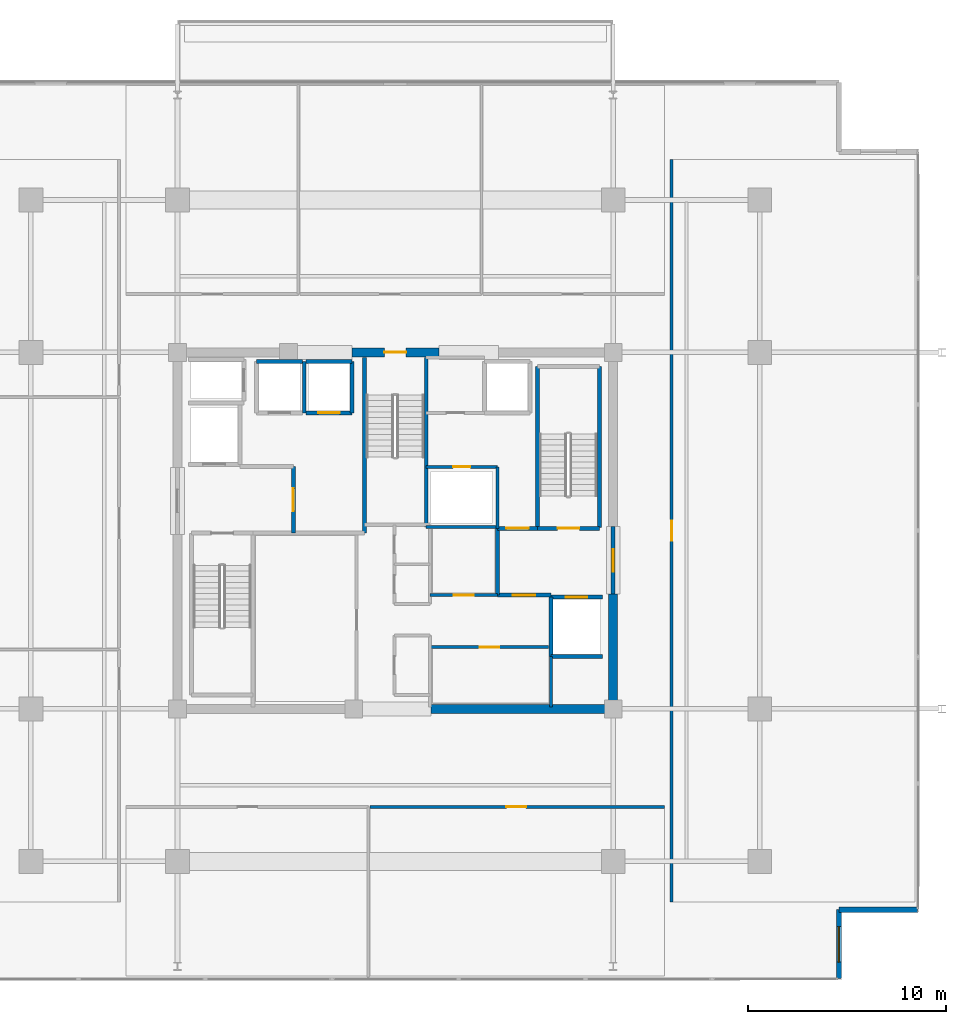
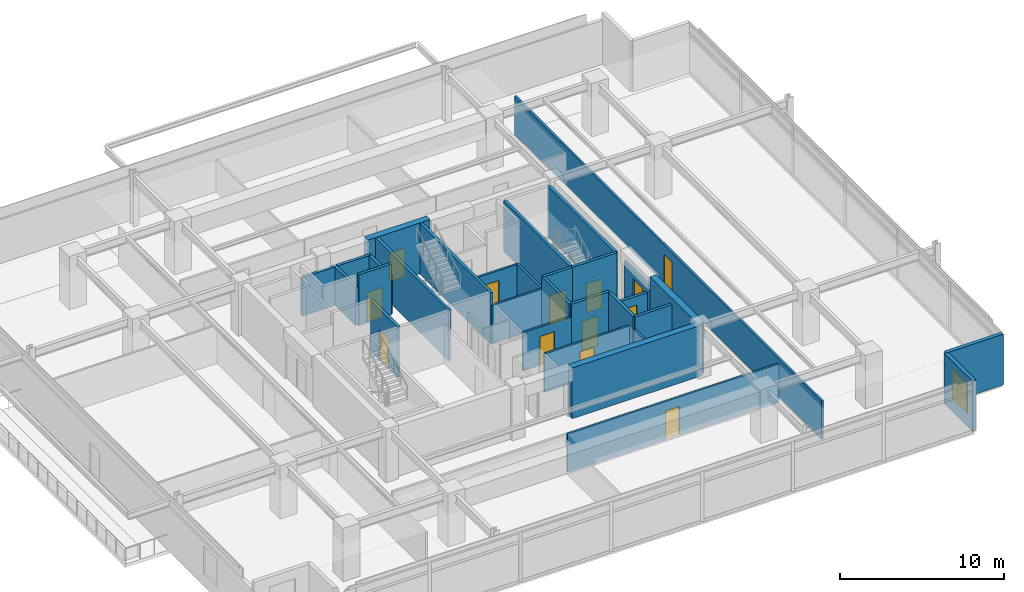
# One storey, part 14 of 18: 31 walls, 13 doors, 1 window, 14 openings.
"""IFC4 building model written with IfcOpenShell, lengths in metres."""

from ifc_helpers import new_model, si_unit, direction, frame, frame_2d, origin, place, context, subcontext, project, spatial, rectangle, extrude, material, layer, layer_set, type_object, element, fill, save


model = new_model("IFC4")

# Units and contexts
model_context = context("Model", 3, precision=1e-05, world=origin(), true_north=direction((0.0, 1.0)))
body_context = subcontext(model_context, "Body", "Model", "MODEL_VIEW")
ifc_project = project(units=[si_unit("LENGTHUNIT", "METRE"), si_unit("AREAUNIT", "SQUARE_METRE"), si_unit("VOLUMEUNIT", "CUBIC_METRE"), si_unit("PLANEANGLEUNIT", "RADIAN"), si_unit("MASSUNIT", "GRAM", prefix="KILO")], contexts=[model_context])

# Site, building, storey
site_placement = place(None, origin())
site = spatial("IfcSite", under=ifc_project, at=site_placement, CompositionType="ELEMENT")
building_placement = place(site_placement, origin())
building = spatial("IfcBuilding", under=site, at=building_placement, Name="Kovane Verandah Tower", CompositionType="ELEMENT")
storey_placement = place(building_placement, frame((0.0, 0.0, 251.199951171875)))
storey = spatial("IfcBuildingStorey", under=building, at=storey_placement, Name="L58", CompositionType="ELEMENT", Elevation=251.199951171875)

# Walls
ifc_material_1 = material(Name="Fire-Rated Gypsum Stud Partition", Category="gypsum")
ifc_layer_1 = layer(ifc_material_1, 0.14990234375)
ifc_layer_set_1 = layer_set([ifc_layer_1], Name="Fire-Rated Gypsum Stud Partition")
wall_type_1 = type_object("IfcWallType", Name="WL-COR-150", PredefinedType="PARTITIONING", material=ifc_layer_set_1)
wall_1_placement = place(storey_placement, frame((41.56005859375, 27.679931640625, 0.0), z_axis=(0.0, 0.0, 1.0), x_axis=(1.0, 0.0, 0.0)))
element("IfcWall", 1, at=wall_1_placement, inside=storey, type_object=wall_type_1, Name="L58 East Core Service Riser South Wall", PredefinedType="PARTITIONING", context=body_context, shape_type="SweptSolid", body=[
    extrude(rectangle(XDim=3.58984375, YDim=0.14990234375, at=frame_2d((1.794921875, 0.0))), origin(), (0.0, 0.0, 1.0), 2.85009765625),
])
wall_2_placement = place(storey_placement, frame((47.85009765625, 18.60009765625, 0.0), z_axis=(0.0, 0.0, 1.0), x_axis=(0.0, 1.0, 0.0)))
element("IfcWall", 2, at=wall_2_placement, inside=storey, type_object=wall_type_1, Name="L58 East Core Support East Wall", PredefinedType="PARTITIONING", context=body_context, shape_type="SweptSolid", body=[
    extrude(rectangle(XDim=2.539794921875, YDim=0.14990234375, at=frame_2d((1.27001953125, 0.0))), origin(), (0.0, 0.0, 1.0), 2.85009765625),
])

# Wall, opening, door
wall_3_placement = place(storey_placement, frame((41.760009765625, 21.6201171875, 0.0), z_axis=(0.0, 0.0, 1.0), x_axis=(1.0, 0.0, 0.0)))
wall_3 = element("IfcWall", 3, at=wall_3_placement, inside=storey, type_object=wall_type_1, Name="L58 Records Vault Room Partition", PredefinedType="PARTITIONING", context=body_context, shape_type="SweptSolid", body=[
    extrude(rectangle(XDim=5.97998046875, YDim=0.14990234375, at=frame_2d((2.989990234375, 0.0))), origin(), (0.0, 0.0, 1.0), 2.85009765625),
])
opening_1_placement = place(wall_3_placement, frame((2.489990234375, 0.0, 0.0)))
opening_1 = element("IfcOpeningElement", 4, at=opening_1_placement, cuts=wall_3, Name="Opening DR-L58-013", PredefinedType="OPENING", context=body_context, shape_type="SweptSolid", body=[
    extrude(rectangle(XDim=1.0, YDim=2.14990234375, at=frame_2d((0.5, 1.074951171875))), frame((0.0, 0.074951171875, 0.0), z_axis=(0.0, -1.0, 0.0), x_axis=(1.0, 0.0, 0.0)), (0.0, 0.0, 1.0), 0.14990234375),
])
ifc_material_2 = material(Name="FSC Spotted-Gum Timber Fire-Rated Office Door", Category="wood")
door_type_1 = type_object("IfcDoorType", Name="DR-OFF-1000", OperationType="SINGLE_SWING_LEFT", PredefinedType="DOOR", material=ifc_material_2)
door_1_placement = place(opening_1_placement, origin())
door_1 = element("IfcDoor", 5, at=door_1_placement, inside=storey, type_object=door_type_1, Name="L58 Records Vault Room Door", OperationType="SINGLE_SWING_LEFT", OverallHeight=2.14990234375, OverallWidth=1.0, PredefinedType="DOOR", context=body_context, shape_type="SweptSolid", body=[
    extrude(rectangle(XDim=1.0, YDim=2.14990234375, at=frame_2d((0.5, 1.074951171875))), frame((0.0, 0.02490234375, 0.0), z_axis=(0.0, -1.0, 0.0), x_axis=(1.0, 0.0, 0.0)), (0.0, 0.0, 1.0), 0.050048828125),
])
fill(opening_1, door_1)

wall_4_placement = place(storey_placement, frame((41.760009765625, 24.25, 0.0), z_axis=(0.0, 0.0, 1.0), x_axis=(1.0, 0.0, 0.0)))
wall_4 = element("IfcWall", 6, at=wall_4_placement, inside=storey, type_object=wall_type_1, Name="L58 Document Archive Room Partition", PredefinedType="PARTITIONING", context=body_context, shape_type="SweptSolid", body=[
    extrude(rectangle(XDim=3.389892578125, YDim=0.14990234375, at=frame_2d((1.69482421875, 0.0))), origin(), (0.0, 0.0, 1.0), 2.85009765625),
])
opening_2_placement = place(wall_4_placement, frame((1.195068359375, 0.0, 0.0)))
opening_2 = element("IfcOpeningElement", 7, at=opening_2_placement, cuts=wall_4, Name="Opening DR-L58-014", PredefinedType="OPENING", context=body_context, shape_type="SweptSolid", body=[
    extrude(rectangle(XDim=1.0, YDim=2.14990234375, at=frame_2d((0.5, 1.074951171875))), frame((0.0, 0.074951171875, 0.0), z_axis=(0.0, -1.0, 0.0), x_axis=(1.0, 0.0, 0.0)), (0.0, 0.0, 1.0), 0.14990234375),
])
door_2_placement = place(opening_2_placement, origin())
door_2 = element("IfcDoor", 8, at=door_2_placement, inside=storey, type_object=door_type_1, Name="L58 Document Archive Room Door", OperationType="SINGLE_SWING_RIGHT", OverallHeight=2.14990234375, OverallWidth=1.0, PredefinedType="DOOR", context=body_context, shape_type="SweptSolid", body=[
    extrude(rectangle(XDim=1.0, YDim=2.14990234375, at=frame_2d((0.5, 1.074951171875))), frame((0.0, 0.02490234375, 0.0), z_axis=(0.0, -1.0, 0.0), x_axis=(1.0, 0.0, 0.0)), (0.0, 0.0, 1.0), 0.050048828125),
])
fill(opening_2, door_2)

# Wall
wall_5_placement = place(storey_placement, frame((45.14990234375, 27.6201171875, 0.0), z_axis=(0.0, 0.0, 1.0), x_axis=(0.0, 1.0, 0.0)))
element("IfcWall", 9, at=wall_5_placement, inside=storey, type_object=wall_type_1, Name="L58 East Core Service Riser East Wall", PredefinedType="PARTITIONING", context=body_context, shape_type="SweptSolid", body=[
    extrude(rectangle(XDim=3.099853515625, YDim=0.14990234375, at=frame_2d((1.5498046875, 0.0))), origin(), (0.0, 0.0, 1.0), 2.85009765625),
])

# Wall, opening, door
wall_6_placement = place(storey_placement, frame((41.56005859375, 30.719970703125, 0.0), z_axis=(0.0, 0.0, 1.0), x_axis=(1.0, 0.0, 0.0)))
wall_6 = element("IfcWall", 10, at=wall_6_placement, inside=storey, type_object=wall_type_1, Name="L58 Combined Chilled Water and Smoke Duct Room Partition", PredefinedType="PARTITIONING", context=body_context, shape_type="SweptSolid", body=[
    extrude(rectangle(XDim=3.58984375, YDim=0.14990234375, at=frame_2d((1.794921875, 0.0))), origin(), (0.0, 0.0, 1.0), 2.85009765625),
])
opening_3_placement = place(wall_6_placement, frame((1.35498046875, 0.0, 0.0)))
opening_3 = element("IfcOpeningElement", 11, at=opening_3_placement, cuts=wall_6, Name="Opening DR-L58-016", PredefinedType="OPENING", context=body_context, shape_type="SweptSolid", body=[
    extrude(rectangle(XDim=0.8798828125, YDim=2.10009765625, at=frame_2d((0.43994140625, 1.050048828125))), frame((0.0, 0.074951171875, 0.0), z_axis=(0.0, -1.0, 0.0), x_axis=(1.0, 0.0, 0.0)), (0.0, 0.0, 1.0), 0.14990234375),
])
ifc_material_3 = material(Name="Fire-Rated Steel Riser Access Door", Category="steel")
door_type_2 = type_object("IfcDoorType", Name="DR-RISER-880", OperationType="SINGLE_SWING_LEFT", PredefinedType="DOOR", material=ifc_material_3)
door_3_placement = place(opening_3_placement, origin())
door_3 = element("IfcDoor", 12, at=door_3_placement, inside=storey, type_object=door_type_2, Name="L58 Combined Chilled Water and Smoke Duct Room Door", OperationType="SINGLE_SWING_LEFT", OverallHeight=2.10009765625, OverallWidth=0.8798828125, PredefinedType="DOOR", context=body_context, shape_type="SweptSolid", body=[
    extrude(rectangle(XDim=0.8798828125, YDim=2.10009765625, at=frame_2d((0.43994140625, 1.050048828125))), frame((0.0, 0.02490234375, 0.0), z_axis=(0.0, -1.0, 0.0), x_axis=(1.0, 0.0, 0.0)), (0.0, 0.0, 1.0), 0.050048828125),
])
fill(opening_3, door_3)

wall_7_placement = place(storey_placement, frame((38.7099609375, 13.550048828125, 0.0), z_axis=(0.0, 0.0, 1.0), x_axis=(1.0, 0.0, 0.0)))
wall_7 = element("IfcWall", 13, at=wall_7_placement, inside=storey, type_object=wall_type_1, Name="L58 Open Plan Office S2 Corridor Partition", PredefinedType="PARTITIONING", context=body_context, shape_type="SweptSolid", body=[
    extrude(rectangle(XDim=14.89013671875, YDim=0.14990234375, at=frame_2d((7.445068359375, 0.0))), origin(), (0.0, 0.0, 1.0), 2.85009765625),
])
opening_4_placement = place(wall_7_placement, frame((6.89501953125, 0.0, 0.0)))
opening_4 = element("IfcOpeningElement", 14, at=opening_4_placement, cuts=wall_7, Name="Opening DR-L58-021", PredefinedType="OPENING", context=body_context, shape_type="SweptSolid", body=[
    extrude(rectangle(XDim=1.0, YDim=2.14990234375, at=frame_2d((0.5, 1.074951171875))), frame((0.0, 0.074951171875, 0.0), z_axis=(0.0, -1.0, 0.0), x_axis=(1.0, 0.0, 0.0)), (0.0, 0.0, 1.0), 0.14990234375),
])
door_4_placement = place(opening_4_placement, origin())
door_4 = element("IfcDoor", 15, at=door_4_placement, inside=storey, type_object=door_type_1, Name="L58 Open Plan Office S2 Entrance Door", OperationType="SINGLE_SWING_LEFT", OverallHeight=2.14990234375, OverallWidth=1.0, PredefinedType="DOOR", context=body_context, shape_type="SweptSolid", body=[
    extrude(rectangle(XDim=1.0, YDim=2.14990234375, at=frame_2d((0.5, 1.074951171875))), frame((0.0, 0.02490234375, 0.0), z_axis=(0.0, -1.0, 0.0), x_axis=(1.0, 0.0, 0.0)), (0.0, 0.0, 1.0), 0.050048828125),
])
fill(opening_4, door_4)

wall_8_placement = place(storey_placement, frame((53.949951171875, 8.762451171875, 0.0), z_axis=(0.0, 0.0, 1.0), x_axis=(0.0, 1.0, 0.0)))
wall_8 = element("IfcWall", 16, at=wall_8_placement, inside=storey, type_object=wall_type_1, Name="L58 Focus Studio E1 Corridor Partition", PredefinedType="PARTITIONING", context=body_context, shape_type="SweptSolid", body=[
    extrude(rectangle(XDim=37.47509765625, YDim=0.14990234375, at=frame_2d((18.737548828125, 0.0))), origin(), (0.0, 0.0, 1.0), 2.85009765625),
])
opening_5_placement = place(wall_8_placement, frame((18.237548828125, 0.0, 0.0)))
opening_5 = element("IfcOpeningElement", 17, at=opening_5_placement, cuts=wall_8, Name="Opening DR-L58-011", PredefinedType="OPENING", context=body_context, shape_type="SweptSolid", body=[
    extrude(rectangle(XDim=1.0, YDim=2.14990234375, at=frame_2d((0.5, 1.074951171875))), frame((0.0, 0.074951171875, 0.0), z_axis=(0.0, -1.0, 0.0), x_axis=(1.0, 0.0, 0.0)), (0.0, 0.0, 1.0), 0.14990234375),
])
door_5_placement = place(opening_5_placement, origin())
door_5 = element("IfcDoor", 18, at=door_5_placement, inside=storey, type_object=door_type_1, Name="L58 Focus Studio E1 Entrance Door", OperationType="SINGLE_SWING_LEFT", OverallHeight=2.14990234375, OverallWidth=1.0, PredefinedType="DOOR", context=body_context, shape_type="SweptSolid", body=[
    extrude(rectangle(XDim=1.0, YDim=2.14990234375, at=frame_2d((0.5, 1.074951171875))), frame((0.0, 0.02490234375, 0.0), z_axis=(0.0, -1.0, 0.0), x_axis=(1.0, 0.0, 0.0)), (0.0, 0.0, 1.0), 0.050048828125),
])
fill(opening_5, door_5)

# Wall
ifc_material_4 = material(Name="Concrete C60/75", Category="concrete")
ifc_layer_2 = layer(ifc_material_4, 0.449951171875)
ifc_layer_set_2 = layer_set([ifc_layer_2], Name="Concrete C60/75")
wall_type_2 = type_object("IfcWallType", Name="WL-CORE-450", PredefinedType="SHEAR", material=ifc_layer_set_2)
wall_9_placement = place(storey_placement, frame((41.800048828125, 18.5, 0.0), z_axis=(0.0, 0.0, 1.0), x_axis=(1.0, 0.0, 0.0)))
element("IfcWall", 19, at=wall_9_placement, inside=storey, type_object=wall_type_2, Name="L58 Core Shear Wall CS-2", PredefinedType="SHEAR", context=body_context, shape_type="SweptSolid", body=[
    extrude(rectangle(XDim=9.199951171875, YDim=0.449951171875, at=frame_2d((4.60009765625, 0.0))), origin(), (0.0, 0.0, 1.0), 3.78515625),
])

# Wall, opening, door
wall_10_placement = place(storey_placement, frame((37.800048828125, 36.5, 0.0), z_axis=(0.0, 0.0, 1.0), x_axis=(1.0, 0.0, 0.0)))
wall_10 = element("IfcWall", 20, at=wall_10_placement, inside=storey, type_object=wall_type_2, Name="L58 Core Shear Wall CN-2", PredefinedType="SHEAR", context=body_context, shape_type="SweptSolid", body=[
    extrude(rectangle(XDim=4.39990234375, YDim=0.449951171875, at=frame_2d((2.199951171875, 0.0))), origin(), (0.0, 0.0, 1.0), 3.78515625),
])
opening_6_placement = place(wall_10_placement, frame((1.64990234375, 0.0, 0.0)))
opening_6 = element("IfcOpeningElement", 21, at=opening_6_placement, cuts=wall_10, Name="Opening DR-L58-010", PredefinedType="OPENING", context=body_context, shape_type="SweptSolid", body=[
    extrude(rectangle(XDim=1.10009765625, YDim=2.14990234375, at=frame_2d((0.550048828125, 1.074951171875))), frame((0.0, 0.22509765625, 0.0), z_axis=(0.0, -1.0, 0.0), x_axis=(1.0, 0.0, 0.0)), (0.0, 0.0, 1.0), 0.449951171875),
])
ifc_material_5 = material(Name="Fire-Rated Steel Exit Door", Category="steel")
door_type_3 = type_object("IfcDoorType", Name="DR-STAIR-1100", OperationType="SINGLE_SWING_LEFT", PredefinedType="DOOR", material=ifc_material_5)
door_6_placement = place(opening_6_placement, origin())
door_6 = element("IfcDoor", 22, at=door_6_placement, inside=storey, type_object=door_type_3, Name="L58 ST-03 Fire Exit Stair Door", OperationType="SINGLE_SWING_RIGHT", OverallHeight=2.14990234375, OverallWidth=1.10009765625, PredefinedType="DOOR", context=body_context, shape_type="SweptSolid", body=[
    extrude(rectangle(XDim=1.10009765625, YDim=2.14990234375, at=frame_2d((0.550048828125, 1.074951171875))), frame((0.0, 0.02490234375, 0.0), z_axis=(0.0, -1.0, 0.0), x_axis=(1.0, 0.0, 0.0)), (0.0, 0.0, 1.0), 0.050048828125),
])
fill(opening_6, door_6)

# Wall
wall_11_placement = place(storey_placement, frame((51.0, 18.5, 0.0), z_axis=(0.0, 0.0, 1.0), x_axis=(0.0, 1.0, 0.0)))
element("IfcWall", 23, at=wall_11_placement, inside=storey, type_object=wall_type_2, Name="L58 Core Shear Wall CE-1", PredefinedType="SHEAR", context=body_context, shape_type="SweptSolid", body=[
    extrude(rectangle(XDim=5.800048828125, YDim=0.449951171875, at=frame_2d((2.89990234375, 0.0))), origin(), (0.0, 0.0, 1.0), 3.78515625),
])

# Wall, opening, door
ifc_material_6 = material(Name="Concrete C45/55 Fire Wall", Category="concrete")
ifc_layer_3 = layer(ifc_material_6, 0.199951171875)
ifc_layer_set_3 = layer_set([ifc_layer_3], Name="Concrete C45/55 Fire Wall")
wall_type_3 = type_object("IfcWallType", Name="WL-FFL-200", PredefinedType="PARTITIONING", material=ifc_layer_set_3)
wall_12_placement = place(storey_placement, frame((34.85009765625, 27.3798828125, 0.0), z_axis=(0.0, 0.0, 1.0), x_axis=(0.0, 1.0, 0.0)))
wall_12 = element("IfcWall", 24, at=wall_12_placement, inside=storey, type_object=wall_type_3, Name="W-L58-FFLW-E", PredefinedType="PARTITIONING", context=body_context, shape_type="SweptSolid", body=[
    extrude(rectangle(XDim=3.3701171875, YDim=0.199951171875, at=frame_2d((1.68505859375, 0.0))), origin(), (0.0, 0.0, 1.0), 3.78515625),
])
opening_7_placement = place(wall_12_placement, frame((1.110107421875, 0.0, 0.0)))
opening_7 = element("IfcOpeningElement", 25, at=opening_7_placement, cuts=wall_12, Name="Opening DR-L58-006", PredefinedType="OPENING", context=body_context, shape_type="SweptSolid", body=[
    extrude(rectangle(XDim=1.14990234375, YDim=2.199951171875, at=frame_2d((0.574951171875, 1.10009765625))), frame((0.0, 0.10009765625, 0.0), z_axis=(0.0, -1.0, 0.0), x_axis=(1.0, 0.0, 0.0)), (0.0, 0.0, 1.0), 0.199951171875),
])
ifc_material_7 = material(Name="Smoke-Sealed Firefighting Lobby Door", Category="steel")
door_type_4 = type_object("IfcDoorType", Name="DR-FFL-1150", OperationType="SINGLE_SWING_LEFT", PredefinedType="DOOR", material=ifc_material_7)
door_7_placement = place(opening_7_placement, origin())
door_7 = element("IfcDoor", 26, at=door_7_placement, inside=storey, type_object=door_type_4, Name="L58 West Firefighting Lobby Inner Door", OperationType="SINGLE_SWING_LEFT", OverallHeight=2.199951171875, OverallWidth=1.14990234375, PredefinedType="DOOR", context=body_context, shape_type="SweptSolid", body=[
    extrude(rectangle(XDim=1.14990234375, YDim=2.199951171875, at=frame_2d((0.574951171875, 1.10009765625))), frame((0.0, 0.02490234375, 0.0), z_axis=(0.0, -1.0, 0.0), x_axis=(1.0, 0.0, 0.0)), (0.0, 0.0, 1.0), 0.050048828125),
])
fill(opening_7, door_7)

# Wall
wall_13_placement = place(storey_placement, frame((45.14990234375, 24.25, 0.0), z_axis=(0.0, 0.0, 1.0), x_axis=(0.0, 1.0, 0.0)))
element("IfcWall", 27, at=wall_13_placement, inside=storey, type_object=wall_type_3, Name="L58 East Firefighting Lobby West Fire Wall", PredefinedType="PARTITIONING", context=body_context, shape_type="SweptSolid", body=[
    extrude(rectangle(XDim=3.3701171875, YDim=0.199951171875, at=frame_2d((1.68505859375, 0.0))), origin(), (0.0, 0.0, 1.0), 3.78515625),
])

# Wall, opening, door
wall_14_placement = place(storey_placement, frame((45.14990234375, 24.25, 0.0), z_axis=(0.0, 0.0, 1.0), x_axis=(1.0, 0.0, 0.0)))
wall_14 = element("IfcWall", 28, at=wall_14_placement, inside=storey, type_object=wall_type_3, Name="W-L58-FFLE-S", PredefinedType="PARTITIONING", context=body_context, shape_type="SweptSolid", body=[
    extrude(rectangle(XDim=2.7001953125, YDim=0.199951171875, at=frame_2d((1.35009765625, 0.0))), origin(), (0.0, 0.0, 1.0), 3.78515625),
])
opening_8_placement = place(wall_14_placement, frame((0.77490234375, 0.0, 0.0)))
opening_8 = element("IfcOpeningElement", 29, at=opening_8_placement, cuts=wall_14, Name="Opening DR-L58-003", PredefinedType="OPENING", context=body_context, shape_type="SweptSolid", body=[
    extrude(rectangle(XDim=1.14990234375, YDim=2.199951171875, at=frame_2d((0.574951171875, 1.10009765625))), frame((0.0, 0.10009765625, 0.0), z_axis=(0.0, -1.0, 0.0), x_axis=(1.0, 0.0, 0.0)), (0.0, 0.0, 1.0), 0.199951171875),
])
door_8_placement = place(opening_8_placement, origin())
door_8 = element("IfcDoor", 30, at=door_8_placement, inside=storey, type_object=door_type_4, Name="L58 East Firefighting Lobby Inner Door", OperationType="SINGLE_SWING_RIGHT", OverallHeight=2.199951171875, OverallWidth=1.14990234375, PredefinedType="DOOR", context=body_context, shape_type="SweptSolid", body=[
    extrude(rectangle(XDim=1.14990234375, YDim=2.199951171875, at=frame_2d((0.574951171875, 1.10009765625))), frame((0.0, 0.02490234375, 0.0), z_axis=(0.0, -1.0, 0.0), x_axis=(1.0, 0.0, 0.0)), (0.0, 0.0, 1.0), 0.050048828125),
])
fill(opening_8, door_8)

wall_15_placement = place(storey_placement, frame((45.14990234375, 27.6201171875, 0.0), z_axis=(0.0, 0.0, 1.0), x_axis=(1.0, 0.0, 0.0)))
wall_15 = element("IfcWall", 31, at=wall_15_placement, inside=storey, type_object=wall_type_3, Name="W-L58-FFLE-N", PredefinedType="PARTITIONING", context=body_context, shape_type="SweptSolid", body=[
    extrude(rectangle(XDim=2.030029296875, YDim=0.199951171875, at=frame_2d((1.01513671875, 0.0))), origin(), (0.0, 0.0, 1.0), 3.78515625),
])
opening_9_placement = place(wall_15_placement, frame((0.43994140625, 0.0, 0.0)))
opening_9 = element("IfcOpeningElement", 32, at=opening_9_placement, cuts=wall_15, Name="Opening DR-L58-004", PredefinedType="OPENING", context=body_context, shape_type="SweptSolid", body=[
    extrude(rectangle(XDim=1.14990234375, YDim=2.199951171875, at=frame_2d((0.574951171875, 1.10009765625))), frame((0.0, 0.10009765625, 0.0), z_axis=(0.0, -1.0, 0.0), x_axis=(1.0, 0.0, 0.0)), (0.0, 0.0, 1.0), 0.199951171875),
])
door_9_placement = place(opening_9_placement, origin())
door_9 = element("IfcDoor", 33, at=door_9_placement, inside=storey, type_object=door_type_4, Name="L58 East Firefighting Lobby Shuttle Link Door", OperationType="SINGLE_SWING_LEFT", OverallHeight=2.199951171875, OverallWidth=1.14990234375, PredefinedType="DOOR", context=body_context, shape_type="SweptSolid", body=[
    extrude(rectangle(XDim=1.14990234375, YDim=2.199951171875, at=frame_2d((0.574951171875, 1.10009765625))), frame((0.0, 0.02490234375, 0.0), z_axis=(0.0, -1.0, 0.0), x_axis=(1.0, 0.0, 0.0)), (0.0, 0.0, 1.0), 0.050048828125),
])
fill(opening_9, door_9)

wall_16_placement = place(storey_placement, frame((51.0, 24.300048828125, 0.0), z_axis=(0.0, 0.0, 1.0), x_axis=(0.0, 1.0, 0.0)))
wall_16 = element("IfcWall", 34, at=wall_16_placement, inside=storey, type_object=wall_type_3, Name="W-L58-FFLE-OUT", PredefinedType="PARTITIONING", context=body_context, shape_type="SweptSolid", body=[
    extrude(rectangle(XDim=3.39990234375, YDim=0.199951171875, at=frame_2d((1.699951171875, 0.0))), origin(), (0.0, 0.0, 1.0), 2.864990234375),
])
opening_10_placement = place(wall_16_placement, frame((1.125, 0.0, 0.0)))
opening_10 = element("IfcOpeningElement", 35, at=opening_10_placement, cuts=wall_16, Name="Opening DR-L58-005", PredefinedType="OPENING", context=body_context, shape_type="SweptSolid", body=[
    extrude(rectangle(XDim=1.14990234375, YDim=2.199951171875, at=frame_2d((0.574951171875, 1.10009765625))), frame((0.0, 0.10009765625, 0.0), z_axis=(0.0, -1.0, 0.0), x_axis=(1.0, 0.0, 0.0)), (0.0, 0.0, 1.0), 0.199951171875),
])
door_10_placement = place(opening_10_placement, origin())
door_10 = element("IfcDoor", 36, at=door_10_placement, inside=storey, type_object=door_type_4, Name="L58 East Firefighting Lobby Corridor Door", OperationType="SINGLE_SWING_LEFT", OverallHeight=2.199951171875, OverallWidth=1.14990234375, PredefinedType="DOOR", context=body_context, shape_type="SweptSolid", body=[
    extrude(rectangle(XDim=1.14990234375, YDim=2.199951171875, at=frame_2d((0.574951171875, 1.10009765625))), frame((0.0, 0.02490234375, 0.0), z_axis=(0.0, -1.0, 0.0), x_axis=(1.0, 0.0, 0.0)), (0.0, 0.0, 1.0), 0.050048828125),
])
fill(opening_10, door_10)

# Wall
ifc_material_8 = material(Name="Concrete C45/55 Lift Shaft Wall", Category="concrete")
ifc_layer_4 = layer(ifc_material_8, 0.199951171875)
ifc_layer_set_4 = layer_set([ifc_layer_4], Name="Concrete C45/55 Lift Shaft Wall")
wall_type_4 = type_object("IfcWallType", Name="WL-LIFT-200", PredefinedType="SOLIDWALL", material=ifc_layer_set_4)
wall_17_placement = place(storey_placement, frame((47.85009765625, 21.14990234375, 0.0), z_axis=(0.0, 0.0, 1.0), x_axis=(1.0, 0.0, 0.0)))
element("IfcWall", 37, at=wall_17_placement, inside=storey, type_object=wall_type_4, Name="L58 Lift FL-02 S Shaft Wall", PredefinedType="SOLIDWALL", context=body_context, shape_type="SweptSolid", body=[
    extrude(rectangle(XDim=2.599853515625, YDim=0.199951171875, at=frame_2d((1.2998046875, 0.0))), origin(), (0.0, 0.0, 1.0), 3.78515625),
])

# Wall, opening, door
wall_18_placement = place(storey_placement, frame((50.449951171875, 24.14990234375, 0.0), z_axis=(0.0, 0.0, 1.0), x_axis=(-1.0, 0.0, 0.0)))
wall_18 = element("IfcWall", 38, at=wall_18_placement, inside=storey, type_object=wall_type_4, Name="L58 Lift FL-02 N Shaft Wall", PredefinedType="SOLIDWALL", context=body_context, shape_type="SweptSolid", body=[
    extrude(rectangle(XDim=2.599853515625, YDim=0.199951171875, at=frame_2d((1.2998046875, 0.0))), origin(), (0.0, 0.0, 1.0), 2.864990234375),
])
opening_11_placement = place(wall_18_placement, frame((0.75, 0.0, 0.0)))
opening_11 = element("IfcOpeningElement", 39, at=opening_11_placement, cuts=wall_18, Name="Opening LD-L58-002", PredefinedType="OPENING", context=body_context, shape_type="SweptSolid", body=[
    extrude(rectangle(XDim=1.10009765625, YDim=2.199951171875, at=frame_2d((0.550048828125, 1.10009765625))), frame((0.0, 0.10009765625, 0.0), z_axis=(0.0, -1.0, 0.0), x_axis=(1.0, 0.0, 0.0)), (0.0, 0.0, 1.0), 0.199951171875),
])
ifc_material_9 = material(Name="Brushed Stainless Steel Sliding Lift Landing Door", Category="steel")
door_type_5 = type_object("IfcDoorType", Name="DR-LIFT-1100", OperationType="SLIDING_TO_RIGHT", PredefinedType="DOOR", material=ifc_material_9)
door_11_placement = place(opening_11_placement, origin())
door_11 = element("IfcDoor", 40, at=door_11_placement, inside=storey, type_object=door_type_5, Name="L58 Lift FL-02 Sliding Landing Door", OperationType="SLIDING_TO_RIGHT", OverallHeight=2.199951171875, OverallWidth=1.10009765625, PredefinedType="DOOR", context=body_context, shape_type="SweptSolid", body=[
    extrude(rectangle(XDim=1.10009765625, YDim=2.199951171875, at=frame_2d((0.550048828125, 1.10009765625))), frame((0.0, 0.02490234375, 0.0), z_axis=(0.0, -1.0, 0.0), x_axis=(1.0, 0.0, 0.0)), (0.0, 0.0, 1.0), 0.050048828125),
])
fill(opening_11, door_11)

# Walls
wall_19_placement = place(storey_placement, frame((47.85009765625, 24.14990234375, 0.0), z_axis=(0.0, 0.0, 1.0), x_axis=(0.0, -1.0, 0.0)))
element("IfcWall", 41, at=wall_19_placement, inside=storey, type_object=wall_type_4, Name="L58 Lift FL-02 W Shaft Wall", PredefinedType="SOLIDWALL", context=body_context, shape_type="SweptSolid", body=[
    extrude(rectangle(XDim=3.0, YDim=0.199951171875, at=frame_2d((1.5, 0.0))), origin(), (0.0, 0.0, 1.0), 3.78515625),
])
wall_20_placement = place(storey_placement, frame((35.300048828125, 36.050048828125, 0.0), z_axis=(0.0, 0.0, 1.0), x_axis=(-1.0, 0.0, 0.0)))
element("IfcWall", 42, at=wall_20_placement, inside=storey, type_object=wall_type_4, Name="L58 Lift PL-H1 N Shaft Wall", PredefinedType="SOLIDWALL", context=body_context, shape_type="SweptSolid", body=[
    extrude(rectangle(XDim=2.300048828125, YDim=0.199951171875, at=frame_2d((1.14990234375, 0.0))), origin(), (0.0, 0.0, 1.0), 2.864990234375),
])
wall_21_placement = place(storey_placement, frame((35.39990234375, 33.449951171875, 0.0), z_axis=(0.0, 0.0, 1.0), x_axis=(0.0, 1.0, 0.0)))
element("IfcWall", 43, at=wall_21_placement, inside=storey, type_object=wall_type_4, Name="L58 Lift PL-H1 and PL-H2 Shared Shaft Wall", PredefinedType="SOLIDWALL", context=body_context, shape_type="SweptSolid", body=[
    extrude(rectangle(XDim=2.60009765625, YDim=0.199951171875, at=frame_2d((1.300048828125, 0.0))), origin(), (0.0, 0.0, 1.0), 2.864990234375),
])

# Wall, opening, door
wall_22_placement = place(storey_placement, frame((35.5, 33.449951171875, 0.0), z_axis=(0.0, 0.0, 1.0), x_axis=(1.0, 0.0, 0.0)))
wall_22 = element("IfcWall", 44, at=wall_22_placement, inside=storey, type_object=wall_type_4, Name="L58 Lift PL-H2 S Shaft Wall", PredefinedType="SOLIDWALL", context=body_context, shape_type="SweptSolid", body=[
    extrude(rectangle(XDim=2.300048828125, YDim=0.199951171875, at=frame_2d((1.14990234375, 0.0))), origin(), (0.0, 0.0, 1.0), 3.78515625),
])
opening_12_placement = place(wall_22_placement, frame((0.60009765625, 0.0, 0.0)))
opening_12 = element("IfcOpeningElement", 45, at=opening_12_placement, cuts=wall_22, Name="Opening LD-L58-005", PredefinedType="OPENING", context=body_context, shape_type="SweptSolid", body=[
    extrude(rectangle(XDim=1.10009765625, YDim=2.199951171875, at=frame_2d((0.550048828125, 1.10009765625))), frame((0.0, 0.10009765625, 0.0), z_axis=(0.0, -1.0, 0.0), x_axis=(1.0, 0.0, 0.0)), (0.0, 0.0, 1.0), 0.199951171875),
])
door_12_placement = place(opening_12_placement, origin())
door_12 = element("IfcDoor", 46, at=door_12_placement, inside=storey, type_object=door_type_5, Name="L58 Lift PL-H2 Sliding Landing Door", OperationType="SLIDING_TO_RIGHT", OverallHeight=2.199951171875, OverallWidth=1.10009765625, PredefinedType="DOOR", context=body_context, shape_type="SweptSolid", body=[
    extrude(rectangle(XDim=1.10009765625, YDim=2.199951171875, at=frame_2d((0.550048828125, 1.10009765625))), frame((0.0, 0.02490234375, 0.0), z_axis=(0.0, -1.0, 0.0), x_axis=(1.0, 0.0, 0.0)), (0.0, 0.0, 1.0), 0.050048828125),
])
fill(opening_12, door_12)

# Walls
wall_23_placement = place(storey_placement, frame((37.800048828125, 36.050048828125, 0.0), z_axis=(0.0, 0.0, 1.0), x_axis=(-1.0, 0.0, 0.0)))
element("IfcWall", 47, at=wall_23_placement, inside=storey, type_object=wall_type_4, Name="L58 Lift PL-H2 N Shaft Wall", PredefinedType="SOLIDWALL", context=body_context, shape_type="SweptSolid", body=[
    extrude(rectangle(XDim=2.300048828125, YDim=0.199951171875, at=frame_2d((1.14990234375, 0.0))), origin(), (0.0, 0.0, 1.0), 2.864990234375),
])
wall_24_placement = place(storey_placement, frame((37.800048828125, 33.449951171875, 0.0), z_axis=(0.0, 0.0, 1.0), x_axis=(0.0, 1.0, 0.0)))
element("IfcWall", 48, at=wall_24_placement, inside=storey, type_object=wall_type_4, Name="L58 Lift PL-H2 E Shaft Wall", PredefinedType="SOLIDWALL", context=body_context, shape_type="SweptSolid", body=[
    extrude(rectangle(XDim=2.60009765625, YDim=0.199951171875, at=frame_2d((1.300048828125, 0.0))), origin(), (0.0, 0.0, 1.0), 2.864990234375),
])
ifc_material_10 = material(Name="Concrete C45/55", Category="concrete")
ifc_layer_5 = layer(ifc_material_10, 0.199951171875)
ifc_layer_set_5 = layer_set([ifc_layer_5], Name="Concrete C45/55")
wall_type_5 = type_object("IfcWallType", Name="WL-SHAFT-200", PredefinedType="SOLIDWALL", material=ifc_layer_set_5)
wall_25_placement = place(storey_placement, frame((50.300048828125, 27.64990234375, 0.0), z_axis=(0.0, 0.0, 1.0), x_axis=(0.0, 1.0, 0.0)))
element("IfcWall", 49, at=wall_25_placement, inside=storey, type_object=wall_type_5, Name="W-L58-ST02-E", PredefinedType="SOLIDWALL", context=body_context, shape_type="SweptSolid", body=[
    extrude(rectangle(XDim=8.150146484375, YDim=0.199951171875, at=frame_2d((4.0751953125, 0.0))), origin(), (0.0, 0.0, 1.0), 3.78515625),
])
wall_26_placement = place(storey_placement, frame((47.179931640625, 27.6201171875, 0.0), z_axis=(0.0, 0.0, 1.0), x_axis=(0.0, 1.0, 0.0)))
element("IfcWall", 50, at=wall_26_placement, inside=storey, type_object=wall_type_5, Name="W-L58-ST02-W", PredefinedType="SOLIDWALL", context=body_context, shape_type="SweptSolid", body=[
    extrude(rectangle(XDim=8.179931640625, YDim=0.199951171875, at=frame_2d((4.08984375, 0.0))), origin(), (0.0, 0.0, 1.0), 3.78515625),
])

# Wall, opening, door
wall_27_placement = place(storey_placement, frame((47.179931640625, 27.6201171875, 0.0), z_axis=(0.0, 0.0, 1.0), x_axis=(1.0, 0.0, 0.0)))
wall_27 = element("IfcWall", 51, at=wall_27_placement, inside=storey, type_object=wall_type_5, Name="W-L58-ST02-S", PredefinedType="SOLIDWALL", context=body_context, shape_type="SweptSolid", body=[
    extrude(rectangle(XDim=3.1201171875, YDim=0.199951171875, at=frame_2d((1.56005859375, 0.0))), origin(), (0.0, 0.0, 1.0), 3.78515625),
])
opening_13_placement = place(wall_27_placement, frame((1.010009765625, 0.0, 0.0)))
opening_13 = element("IfcOpeningElement", 52, at=opening_13_placement, cuts=wall_27, Name="Opening DR-L58-009", PredefinedType="OPENING", context=body_context, shape_type="SweptSolid", body=[
    extrude(rectangle(XDim=1.10009765625, YDim=2.14990234375, at=frame_2d((0.550048828125, 1.074951171875))), frame((0.0, 0.10009765625, 0.0), z_axis=(0.0, -1.0, 0.0), x_axis=(1.0, 0.0, 0.0)), (0.0, 0.0, 1.0), 0.199951171875),
])
door_13_placement = place(opening_13_placement, origin())
door_13 = element("IfcDoor", 53, at=door_13_placement, inside=storey, type_object=door_type_3, Name="L58 ST-02 Fire Exit Stair Door", OperationType="SINGLE_SWING_LEFT", OverallHeight=2.14990234375, OverallWidth=1.10009765625, PredefinedType="DOOR", context=body_context, shape_type="SweptSolid", body=[
    extrude(rectangle(XDim=1.10009765625, YDim=2.14990234375, at=frame_2d((0.550048828125, 1.074951171875))), frame((0.0, 0.02490234375, 0.0), z_axis=(0.0, -1.0, 0.0), x_axis=(1.0, 0.0, 0.0)), (0.0, 0.0, 1.0), 0.050048828125),
])
fill(opening_13, door_13)

# Walls
wall_28_placement = place(storey_placement, frame((38.43994140625, 27.3798828125, 0.0), z_axis=(0.0, 0.0, 1.0), x_axis=(0.0, 1.0, 0.0)))
element("IfcWall", 54, at=wall_28_placement, inside=storey, type_object=wall_type_5, Name="W-L58-ST03-W", PredefinedType="SOLIDWALL", context=body_context, shape_type="SweptSolid", body=[
    extrude(rectangle(XDim=8.8701171875, YDim=0.199951171875, at=frame_2d((4.43505859375, 0.0))), origin(), (0.0, 0.0, 1.0), 3.78515625),
])
wall_29_placement = place(storey_placement, frame((41.56005859375, 27.679931640625, 0.0), z_axis=(0.0, 0.0, 1.0), x_axis=(0.0, 1.0, 0.0)))
element("IfcWall", 55, at=wall_29_placement, inside=storey, type_object=wall_type_5, Name="W-L58-ST03-E", PredefinedType="SOLIDWALL", context=body_context, shape_type="SweptSolid", body=[
    extrude(rectangle(XDim=8.570068359375, YDim=0.199951171875, at=frame_2d((4.28515625, 0.0))), origin(), (0.0, 0.0, 1.0), 3.78515625),
])

# Wall, opening, window
ifc_material_11 = material(Name="Concrete C45/55 Insulated Spandrel Wall", Category="concrete")
ifc_layer_6 = layer(ifc_material_11, 0.260009765625)
ifc_layer_set_6 = layer_set([ifc_layer_6], Name="Concrete C45/55 Insulated Spandrel Wall")
wall_type_6 = type_object("IfcWallType", Name="WL-SPANDREL-260", PredefinedType="PARAPET", material=ifc_layer_set_6)
wall_30_placement = place(storey_placement, frame((62.396240234375, 4.8623046875, 0.0), z_axis=(0.0, 0.0, 1.0), x_axis=(0.0, 1.0, 0.0)))
wall_30 = element("IfcWall", 56, at=wall_30_placement, inside=storey, type_object=wall_type_6, Name="L58 SE Notch Cheek Wall 1", PredefinedType="PARAPET", context=body_context, shape_type="SweptSolid", body=[
    extrude(rectangle(XDim=3.5, YDim=0.260009765625, at=frame_2d((1.75, 0.0))), origin(), (0.0, 0.0, 1.0), 3.78515625),
])
opening_14_placement = place(wall_30_placement, frame((0.85009765625, 0.0, 0.85009765625)))
opening_14 = element("IfcOpeningElement", 57, at=opening_14_placement, cuts=wall_30, Name="Opening W-03", PredefinedType="OPENING", context=body_context, shape_type="SweptSolid", body=[
    extrude(rectangle(XDim=1.800048828125, YDim=2.199951171875, at=frame_2d((0.89990234375, 1.10009765625))), frame((0.0, 0.1298828125, 0.0), z_axis=(0.0, -1.0, 0.0), x_axis=(1.0, 0.0, 0.0)), (0.0, 0.0, 1.0), 0.260009765625),
])
ifc_material_12 = material(Name="Clear Low-E Laminated Double Glazing in Anodised Frame", Category="glass")
window_type = type_object("IfcWindowType", Name="WN-NOTCH-1800x2200", PartitioningType="SINGLE_PANEL", PredefinedType="WINDOW", material=ifc_material_12)
window_placement = place(opening_14_placement, origin())
window = element("IfcWindow", 58, at=window_placement, inside=storey, type_object=window_type, Name="L58 SE Re-Entrant Corner Operable Window", OverallHeight=2.199951171875, OverallWidth=1.800048828125, PartitioningType="SINGLE_PANEL", PredefinedType="WINDOW", context=body_context, shape_type="SweptSolid", body=[
    extrude(rectangle(XDim=1.800048828125, YDim=2.199951171875, at=frame_2d((0.89990234375, 1.10009765625))), frame((0.0, 0.030029296875, 0.0), z_axis=(0.0, -1.0, 0.0), x_axis=(1.0, 0.0, 0.0)), (0.0, 0.0, 1.0), 0.06005859375),
])
fill(opening_14, window)

# Wall
wall_31_placement = place(storey_placement, frame((62.396240234375, 8.3623046875, 0.0), z_axis=(0.0, 0.0, 1.0), x_axis=(1.0, 0.0, 0.0)))
element("IfcWall", 59, at=wall_31_placement, inside=storey, type_object=wall_type_6, Name="L58 SE Notch Cheek Wall 2", PredefinedType="PARAPET", context=body_context, shape_type="SweptSolid", body=[
    extrude(rectangle(XDim=4.0, YDim=0.260009765625, at=frame_2d((2.0, 0.0))), origin(), (0.0, 0.0, 1.0), 3.78515625),
])

save(model, "model.ifc")
